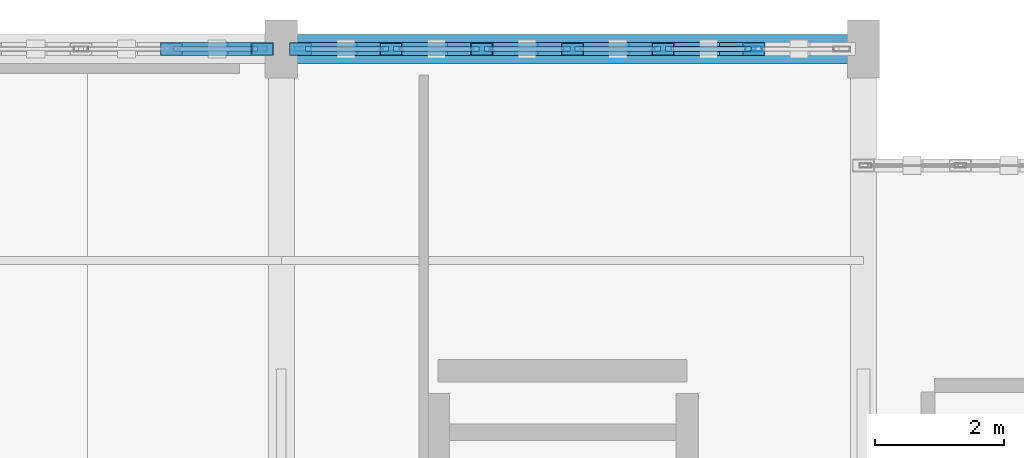
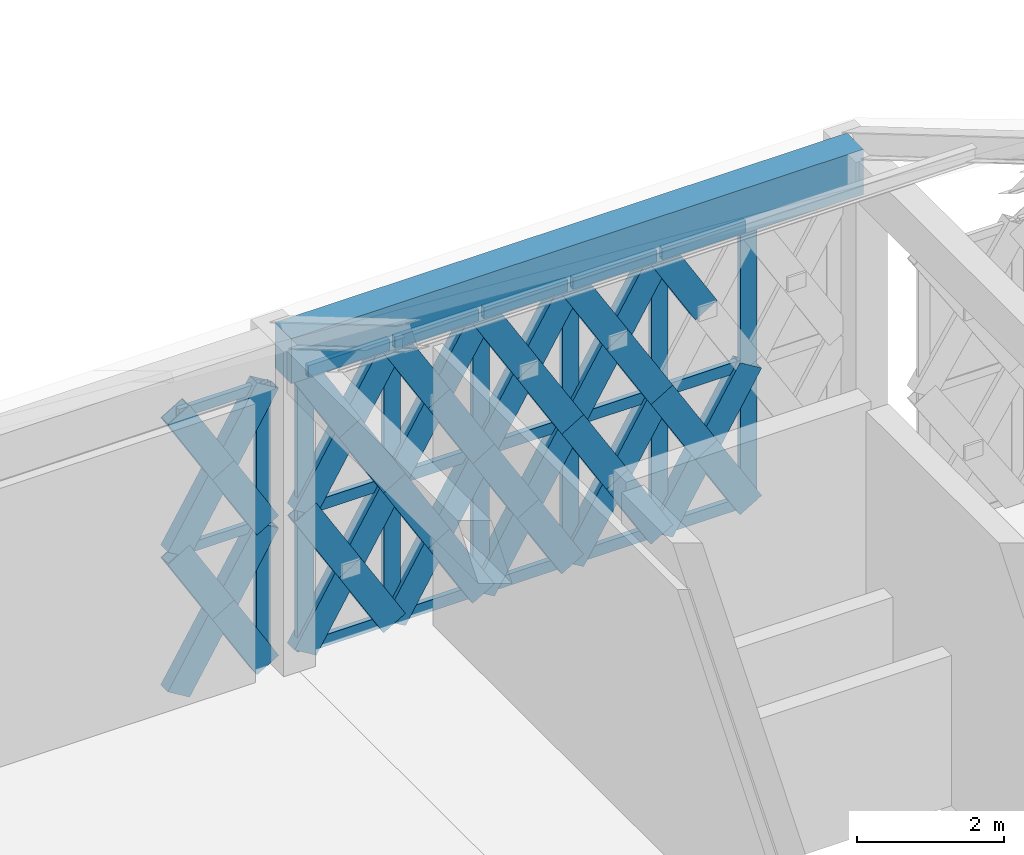
# One storey, part 53 of 72: 58 members, 1 beam, 2 elements without a shape of their own.
"""IFC4 building model written with IfcOpenShell, lengths in metres."""

from ifc_helpers import new_model, si_unit, direction, frame, origin, origin_2d, place, context, subcontext, project, spatial, rectangle, hollow_rectangle, extrude, material, material_profile, profile_set, type_object, element, aggregate, save


model = new_model("IFC4")

# Units and contexts
model_context = context("Model", 3, precision=1e-05, world=origin(), true_north=direction((0.0, 1.0)))
body_context = subcontext(model_context, "Body", "Model", "MODEL_VIEW")
ifc_project = project(units=[si_unit("LENGTHUNIT", "METRE"), si_unit("AREAUNIT", "SQUARE_METRE"), si_unit("VOLUMEUNIT", "CUBIC_METRE"), si_unit("PLANEANGLEUNIT", "RADIAN"), si_unit("MASSUNIT", "GRAM", prefix="KILO")], contexts=[model_context])

# Site, building, storey
site_placement = place(None, origin())
site = spatial("IfcSite", under=ifc_project, at=site_placement, CompositionType="ELEMENT")
building_placement = place(site_placement, origin())
building = spatial("IfcBuilding", under=site, at=building_placement, Name="Haizhuo Lancet Aquarium", CompositionType="ELEMENT")
storey_placement = place(building_placement, frame((0.0, 0.0, 21.60009765625)))
storey = spatial("IfcBuildingStorey", under=building, at=storey_placement, Name="L04", CompositionType="ELEMENT", Elevation=21.60009765625)

# Beam
ifc_material_1 = material(Name="Concrete C40/50", Category="concrete")
ifc_material_profile_1 = material_profile(ifc_material_1, rectangle(XDim=0.449951171875, YDim=0.75, at=origin_2d()), Name="RC-BM 450x750")
ifc_profile_set_1 = profile_set([ifc_material_profile_1], Name="Concrete C40/50")
beam_type = type_object("IfcBeamType", Name="BM-RC-450x750", PredefinedType="BEAM", material=ifc_profile_set_1)
beam_placement = place(storey_placement, frame((9.0, 55.800048828125, 5.02490234375), z_axis=(1.0, 0.0, 0.0), x_axis=(0.0, 1.0, 0.0)))
element("IfcBeam", 1, at=beam_placement, inside=storey, type_object=beam_type, Name="L04 V5 primary girder BM-L04-V5-020", PredefinedType="BEAM", context=body_context, shape_type="SweptSolid", body=[
    extrude(rectangle(XDim=0.449951171875, YDim=0.75, at=origin_2d()), origin(), (0.0, 0.0, 1.0), 9.0),
])

# Curtain wall, member
ifc_material_2 = material(Name="Aluminium 6063-T6", Category="aluminium")
curtain_wall_type = type_object("IfcCurtainWallType", Name="CWD-8410x4650", PredefinedType="NOTDEFINED", material=ifc_material_2)
curtain_wall_1_placement = place(storey_placement, origin())
curtain_wall_1 = element("IfcCurtainWall", 2, at=curtain_wall_1_placement, inside=storey, type_object=curtain_wall_type, Name="L04 curtain wall CW-V5-L04-179", PredefinedType="NOTDEFINED")
ifc_material_profile_2 = material_profile(ifc_material_2, hollow_rectangle(XDim=0.074951171875, YDim=0.219970703125, WallThickness=0.0048828125, at=origin_2d()), Name="ALU-M 75x220x5")
ifc_profile_set_2 = profile_set([ifc_material_profile_2], Name="Aluminium 6063-T6")
member_type_1 = type_object("IfcMemberType", Name="CW-MUL-2", PredefinedType="MULLION", material=ifc_profile_set_2)
member_1_placement = place(storey_placement, frame((8.66796875, 55.800048828125, 0.0), z_axis=(0.0, 0.0, 1.0), x_axis=(0.0, 1.0, 0.0)))
member_1 = element("IfcMember", 3, at=member_1_placement, type_object=member_type_1, Name="CWD-84x46 mullion 7", PredefinedType="MULLION", context=body_context, shape_type="SweptSolid", body=[
    extrude(hollow_rectangle(XDim=0.074951171875, YDim=0.219970703125, WallThickness=0.0048828125, at=origin_2d()), origin(), (0.0, 0.0, 1.0), 4.64990234375),
])

# Curtain wall, members
curtain_wall_2_placement = place(storey_placement, origin())
curtain_wall_2 = element("IfcCurtainWall", 4, at=curtain_wall_2_placement, inside=storey, type_object=curtain_wall_type, Name="L04 curtain wall CW-V5-L04-180", PredefinedType="NOTDEFINED")
ifc_material_profile_3 = material_profile(ifc_material_2, hollow_rectangle(XDim=0.080078125, YDim=0.260009765625, WallThickness=0.0048828125, at=origin_2d()), Name="ALU-M 80x260x5")
ifc_profile_set_3 = profile_set([ifc_material_profile_3], Name="Aluminium 6063-T6")
member_type_2 = type_object("IfcMemberType", Name="CW-MUL-3", PredefinedType="MULLION", material=ifc_profile_set_3)
member_2_placement = place(storey_placement, frame((9.3349609375, 55.800048828125, 0.0), z_axis=(0.0, 0.0, 1.0), x_axis=(0.0, 1.0, 0.0)))
member_2 = element("IfcMember", 5, at=member_2_placement, type_object=member_type_2, Name="CWD-84x46 mullion 1", PredefinedType="MULLION", context=body_context, shape_type="SweptSolid", body=[
    extrude(hollow_rectangle(XDim=0.080078125, YDim=0.260009765625, WallThickness=0.0048828125, at=origin_2d()), origin(), (0.0, 0.0, 1.0), 4.64990234375),
])
member_3_placement = place(storey_placement, frame((10.697021484375, 55.800048828125, 0.0), z_axis=(0.0, 0.0, 1.0), x_axis=(0.0, 1.0, 0.0)))
member_3 = element("IfcMember", 6, at=member_3_placement, type_object=member_type_2, Name="CWD-84x46 mullion 2", PredefinedType="MULLION", context=body_context, shape_type="SweptSolid", body=[
    extrude(hollow_rectangle(XDim=0.080078125, YDim=0.260009765625, WallThickness=0.0048828125, at=origin_2d()), origin(), (0.0, 0.0, 1.0), 4.64990234375),
])
member_4_placement = place(storey_placement, frame((12.097900390625, 55.800048828125, 0.0), z_axis=(0.0, 0.0, 1.0), x_axis=(0.0, 1.0, 0.0)))
member_4 = element("IfcMember", 7, at=member_4_placement, type_object=member_type_2, Name="CWD-84x46 mullion 3", PredefinedType="MULLION", context=body_context, shape_type="SweptSolid", body=[
    extrude(hollow_rectangle(XDim=0.080078125, YDim=0.260009765625, WallThickness=0.0048828125, at=origin_2d()), origin(), (0.0, 0.0, 1.0), 4.64990234375),
])
member_5_placement = place(storey_placement, frame((13.5, 55.800048828125, 0.0), z_axis=(0.0, 0.0, 1.0), x_axis=(0.0, 1.0, 0.0)))
member_5 = element("IfcMember", 8, at=member_5_placement, type_object=member_type_2, Name="CWD-84x46 mullion 4", PredefinedType="MULLION", context=body_context, shape_type="SweptSolid", body=[
    extrude(hollow_rectangle(XDim=0.080078125, YDim=0.260009765625, WallThickness=0.0048828125, at=origin_2d()), origin(), (0.0, 0.0, 1.0), 4.64990234375),
])
member_6_placement = place(storey_placement, frame((14.902099609375, 55.800048828125, 0.0), z_axis=(0.0, 0.0, 1.0), x_axis=(0.0, 1.0, 0.0)))
member_6 = element("IfcMember", 9, at=member_6_placement, type_object=member_type_2, Name="CWD-84x46 mullion 5", PredefinedType="MULLION", context=body_context, shape_type="SweptSolid", body=[
    extrude(hollow_rectangle(XDim=0.080078125, YDim=0.260009765625, WallThickness=0.0048828125, at=origin_2d()), origin(), (0.0, 0.0, 1.0), 4.64990234375),
])
member_7_placement = place(storey_placement, frame((16.302978515625, 55.800048828125, 0.0), z_axis=(0.0, 0.0, 1.0), x_axis=(0.0, 1.0, 0.0)))
member_7 = element("IfcMember", 10, at=member_7_placement, type_object=member_type_2, Name="CWD-84x46 mullion 6", PredefinedType="MULLION", context=body_context, shape_type="SweptSolid", body=[
    extrude(hollow_rectangle(XDim=0.080078125, YDim=0.260009765625, WallThickness=0.0048828125, at=origin_2d()), origin(), (0.0, 0.0, 1.0), 4.64990234375),
])

# Member
ifc_material_profile_4 = material_profile(ifc_material_2, hollow_rectangle(XDim=0.074951171875, YDim=0.159912109375, WallThickness=0.00390625, at=origin_2d()), Name="ALU-T 75x160x4")
ifc_profile_set_4 = profile_set([ifc_material_profile_4], Name="Aluminium 6063-T6")
member_type_3 = type_object("IfcMemberType", Name="CW-TRN-2", PredefinedType="NOTDEFINED", material=ifc_profile_set_4)
member_8_placement = place(storey_placement, frame((7.341064453125, 55.800048828125, 2.324951171875), z_axis=(1.0, 0.0, 0.0), x_axis=(0.0, 1.0, 0.0)))
member_8 = element("IfcMember", 11, at=member_8_placement, type_object=member_type_3, Name="CWD-84x46 transom 6.2", ObjectType="TRANSOM", PredefinedType="USERDEFINED", context=body_context, shape_type="SweptSolid", body=[
    extrude(hollow_rectangle(XDim=0.074951171875, YDim=0.159912109375, WallThickness=0.00390625, at=origin_2d()), origin(), (0.0, 0.0, 1.0), 1.288818359375),
])

member_9_placement = place(storey_placement, frame((7.341064453125, 55.800048828125, 4.61181640625), z_axis=(1.0, 0.0, 0.0), x_axis=(0.0, 1.0, 0.0)))
member_9 = element("IfcMember", 12, at=member_9_placement, type_object=member_type_3, Name="CWD-84x46 transom 6.3", ObjectType="TRANSOM", PredefinedType="USERDEFINED", context=body_context, shape_type="SweptSolid", body=[
    extrude(hollow_rectangle(XDim=0.074951171875, YDim=0.159912109375, WallThickness=0.00390625, at=origin_2d()), origin(), (0.0, 0.0, 1.0), 1.288818359375),
])

aggregate(curtain_wall_1, [member_1, member_8, member_9])

ifc_material_profile_5 = material_profile(ifc_material_2, hollow_rectangle(XDim=0.080078125, YDim=0.18994140625, WallThickness=0.0048828125, at=origin_2d()), Name="ALU-T 80x190x5")
ifc_profile_set_5 = profile_set([ifc_material_profile_5], Name="Aluminium 6063-T6")
member_type_4 = type_object("IfcMemberType", Name="CW-TRN-3", PredefinedType="NOTDEFINED", material=ifc_profile_set_5)
member_10_placement = place(storey_placement, frame((9.375, 55.800048828125, 0.039794921875), z_axis=(1.0, 0.0, 0.0), x_axis=(0.0, 1.0, 0.0)))
member_10 = element("IfcMember", 13, at=member_10_placement, type_object=member_type_4, Name="CWD-84x46 transom 1.1", ObjectType="TRANSOM", PredefinedType="USERDEFINED", context=body_context, shape_type="SweptSolid", body=[
    extrude(hollow_rectangle(XDim=0.080078125, YDim=0.18994140625, WallThickness=0.0048828125, at=origin_2d()), origin(), (0.0, 0.0, 1.0), 1.281982421875),
])

member_11_placement = place(storey_placement, frame((9.375, 55.800048828125, 2.324951171875), z_axis=(1.0, 0.0, 0.0), x_axis=(0.0, 1.0, 0.0)))
member_11 = element("IfcMember", 14, at=member_11_placement, type_object=member_type_4, Name="CWD-84x46 transom 1.2", ObjectType="TRANSOM", PredefinedType="USERDEFINED", context=body_context, shape_type="SweptSolid", body=[
    extrude(hollow_rectangle(XDim=0.080078125, YDim=0.18994140625, WallThickness=0.0048828125, at=origin_2d()), origin(), (0.0, 0.0, 1.0), 1.281982421875),
])

member_12_placement = place(storey_placement, frame((9.375, 55.800048828125, 4.60986328125), z_axis=(1.0, 0.0, 0.0), x_axis=(0.0, 1.0, 0.0)))
member_12 = element("IfcMember", 15, at=member_12_placement, type_object=member_type_4, Name="CWD-84x46 transom 1.3", ObjectType="TRANSOM", PredefinedType="USERDEFINED", context=body_context, shape_type="SweptSolid", body=[
    extrude(hollow_rectangle(XDim=0.080078125, YDim=0.18994140625, WallThickness=0.0048828125, at=origin_2d()), origin(), (0.0, 0.0, 1.0), 1.281982421875),
])

member_13_placement = place(storey_placement, frame((10.737060546875, 55.800048828125, 0.039794921875), z_axis=(1.0, 0.0, 0.0), x_axis=(0.0, 1.0, 0.0)))
member_13 = element("IfcMember", 16, at=member_13_placement, type_object=member_type_4, Name="CWD-84x46 transom 2.1", ObjectType="TRANSOM", PredefinedType="USERDEFINED", context=body_context, shape_type="SweptSolid", body=[
    extrude(hollow_rectangle(XDim=0.080078125, YDim=0.18994140625, WallThickness=0.0048828125, at=origin_2d()), origin(), (0.0, 0.0, 1.0), 1.321044921875),
])

member_14_placement = place(storey_placement, frame((10.737060546875, 55.800048828125, 2.324951171875), z_axis=(1.0, 0.0, 0.0), x_axis=(0.0, 1.0, 0.0)))
member_14 = element("IfcMember", 17, at=member_14_placement, type_object=member_type_4, Name="CWD-84x46 transom 2.2", ObjectType="TRANSOM", PredefinedType="USERDEFINED", context=body_context, shape_type="SweptSolid", body=[
    extrude(hollow_rectangle(XDim=0.080078125, YDim=0.18994140625, WallThickness=0.0048828125, at=origin_2d()), origin(), (0.0, 0.0, 1.0), 1.321044921875),
])

member_15_placement = place(storey_placement, frame((10.737060546875, 55.800048828125, 4.60986328125), z_axis=(1.0, 0.0, 0.0), x_axis=(0.0, 1.0, 0.0)))
member_15 = element("IfcMember", 18, at=member_15_placement, type_object=member_type_4, Name="CWD-84x46 transom 2.3", ObjectType="TRANSOM", PredefinedType="USERDEFINED", context=body_context, shape_type="SweptSolid", body=[
    extrude(hollow_rectangle(XDim=0.080078125, YDim=0.18994140625, WallThickness=0.0048828125, at=origin_2d()), origin(), (0.0, 0.0, 1.0), 1.321044921875),
])

member_16_placement = place(storey_placement, frame((12.137939453125, 55.800048828125, 0.039794921875), z_axis=(1.0, 0.0, 0.0), x_axis=(0.0, 1.0, 0.0)))
member_16 = element("IfcMember", 19, at=member_16_placement, type_object=member_type_4, Name="CWD-84x46 transom 3.1", ObjectType="TRANSOM", PredefinedType="USERDEFINED", context=body_context, shape_type="SweptSolid", body=[
    extrude(hollow_rectangle(XDim=0.080078125, YDim=0.18994140625, WallThickness=0.0048828125, at=origin_2d()), origin(), (0.0, 0.0, 1.0), 1.322021484375),
])

member_17_placement = place(storey_placement, frame((12.137939453125, 55.800048828125, 2.324951171875), z_axis=(1.0, 0.0, 0.0), x_axis=(0.0, 1.0, 0.0)))
member_17 = element("IfcMember", 20, at=member_17_placement, type_object=member_type_4, Name="CWD-84x46 transom 3.2", ObjectType="TRANSOM", PredefinedType="USERDEFINED", context=body_context, shape_type="SweptSolid", body=[
    extrude(hollow_rectangle(XDim=0.080078125, YDim=0.18994140625, WallThickness=0.0048828125, at=origin_2d()), origin(), (0.0, 0.0, 1.0), 1.322021484375),
])

member_18_placement = place(storey_placement, frame((12.137939453125, 55.800048828125, 4.60986328125), z_axis=(1.0, 0.0, 0.0), x_axis=(0.0, 1.0, 0.0)))
member_18 = element("IfcMember", 21, at=member_18_placement, type_object=member_type_4, Name="CWD-84x46 transom 3.3", ObjectType="TRANSOM", PredefinedType="USERDEFINED", context=body_context, shape_type="SweptSolid", body=[
    extrude(hollow_rectangle(XDim=0.080078125, YDim=0.18994140625, WallThickness=0.0048828125, at=origin_2d()), origin(), (0.0, 0.0, 1.0), 1.322021484375),
])

member_19_placement = place(storey_placement, frame((13.5400390625, 55.800048828125, 0.039794921875), z_axis=(1.0, 0.0, 0.0), x_axis=(0.0, 1.0, 0.0)))
member_19 = element("IfcMember", 22, at=member_19_placement, type_object=member_type_4, Name="CWD-84x46 transom 4.1", ObjectType="TRANSOM", PredefinedType="USERDEFINED", context=body_context, shape_type="SweptSolid", body=[
    extrude(hollow_rectangle(XDim=0.080078125, YDim=0.18994140625, WallThickness=0.0048828125, at=origin_2d()), origin(), (0.0, 0.0, 1.0), 1.322021484375),
])

member_20_placement = place(storey_placement, frame((13.5400390625, 55.800048828125, 2.324951171875), z_axis=(1.0, 0.0, 0.0), x_axis=(0.0, 1.0, 0.0)))
member_20 = element("IfcMember", 23, at=member_20_placement, type_object=member_type_4, Name="CWD-84x46 transom 4.2", ObjectType="TRANSOM", PredefinedType="USERDEFINED", context=body_context, shape_type="SweptSolid", body=[
    extrude(hollow_rectangle(XDim=0.080078125, YDim=0.18994140625, WallThickness=0.0048828125, at=origin_2d()), origin(), (0.0, 0.0, 1.0), 1.322021484375),
])

member_21_placement = place(storey_placement, frame((13.5400390625, 55.800048828125, 4.60986328125), z_axis=(1.0, 0.0, 0.0), x_axis=(0.0, 1.0, 0.0)))
member_21 = element("IfcMember", 24, at=member_21_placement, type_object=member_type_4, Name="CWD-84x46 transom 4.3", ObjectType="TRANSOM", PredefinedType="USERDEFINED", context=body_context, shape_type="SweptSolid", body=[
    extrude(hollow_rectangle(XDim=0.080078125, YDim=0.18994140625, WallThickness=0.0048828125, at=origin_2d()), origin(), (0.0, 0.0, 1.0), 1.322021484375),
])

member_22_placement = place(storey_placement, frame((14.94189453125, 55.800048828125, 0.039794921875), z_axis=(1.0, 0.0, 0.0), x_axis=(0.0, 1.0, 0.0)))
member_22 = element("IfcMember", 25, at=member_22_placement, type_object=member_type_4, Name="CWD-84x46 transom 5.1", ObjectType="TRANSOM", PredefinedType="USERDEFINED", context=body_context, shape_type="SweptSolid", body=[
    extrude(hollow_rectangle(XDim=0.080078125, YDim=0.18994140625, WallThickness=0.0048828125, at=origin_2d()), origin(), (0.0, 0.0, 1.0), 1.321044921875),
])

member_23_placement = place(storey_placement, frame((14.94189453125, 55.800048828125, 2.324951171875), z_axis=(1.0, 0.0, 0.0), x_axis=(0.0, 1.0, 0.0)))
member_23 = element("IfcMember", 26, at=member_23_placement, type_object=member_type_4, Name="CWD-84x46 transom 5.2", ObjectType="TRANSOM", PredefinedType="USERDEFINED", context=body_context, shape_type="SweptSolid", body=[
    extrude(hollow_rectangle(XDim=0.080078125, YDim=0.18994140625, WallThickness=0.0048828125, at=origin_2d()), origin(), (0.0, 0.0, 1.0), 1.321044921875),
])

member_24_placement = place(storey_placement, frame((14.94189453125, 55.800048828125, 4.60986328125), z_axis=(1.0, 0.0, 0.0), x_axis=(0.0, 1.0, 0.0)))
member_24 = element("IfcMember", 27, at=member_24_placement, type_object=member_type_4, Name="CWD-84x46 transom 5.3", ObjectType="TRANSOM", PredefinedType="USERDEFINED", context=body_context, shape_type="SweptSolid", body=[
    extrude(hollow_rectangle(XDim=0.080078125, YDim=0.18994140625, WallThickness=0.0048828125, at=origin_2d()), origin(), (0.0, 0.0, 1.0), 1.321044921875),
])

aggregate(curtain_wall_2, [member_2, member_3, member_4, member_5, member_6, member_7, member_10, member_11, member_12, member_13, member_14, member_15, member_16, member_17, member_18, member_19, member_20, member_21, member_22, member_23, member_24])

# Members
ifc_material_3 = material(Name="Steel S355", Category="steel")
ifc_material_profile_6 = material_profile(ifc_material_3, hollow_rectangle(XDim=0.199951171875, YDim=0.39990234375, WallThickness=0.011962890625, at=origin_2d()), Name="RHS 200x400x12")
ifc_profile_set_6 = profile_set([ifc_material_profile_6], Name="Steel S355")
member_type_5 = type_object("IfcMemberType", Name="MEM-LB-RHS200x400", PredefinedType="BRACE", material=ifc_profile_set_6)
member_25_placement = place(storey_placement, frame((7.302978515625, 55.800048828125, 0.0), z_axis=(0.516425141118, 0.0, 0.856332338302), x_axis=(0.0, 1.0, 0.0)))
element("IfcMember", 28, at=member_25_placement, inside=storey, type_object=member_type_5, Name="Gothic lancet continuous diagonal brace CW-V5-L04-179 11A", PredefinedType="BRACE", context=body_context, shape_type="SweptSolid", body=[
    extrude(hollow_rectangle(XDim=0.199951171875, YDim=0.39990234375, WallThickness=0.011962890625, at=origin_2d()), origin(), (0.0, 0.0, 1.0), 2.715087890625),
])
member_26_placement = place(storey_placement, frame((8.705078125, 55.800048828125, 0.0), z_axis=(-0.516371795819, 0.0, 0.856364506786), x_axis=(0.0, -1.0, 0.0)))
element("IfcMember", 29, at=member_26_placement, inside=storey, type_object=member_type_5, Name="Gothic lancet split diagonal brace CW-V5-L04-179 11B1", PredefinedType="BRACE", context=body_context, shape_type="SweptSolid", body=[
    extrude(hollow_rectangle(XDim=0.199951171875, YDim=0.39990234375, WallThickness=0.011962890625, at=origin_2d()), origin(), (0.0, 0.0, 1.0), 1.35791015625),
])
member_27_placement = place(storey_placement, frame((8.00390625, 55.800048828125, 1.162841796875), z_axis=(-0.51647851402, 0.0, 0.856300148637), x_axis=(0.0, -1.0, 0.0)))
element("IfcMember", 30, at=member_27_placement, inside=storey, type_object=member_type_5, Name="Gothic lancet split diagonal brace CW-V5-L04-179 11B2", PredefinedType="BRACE", context=body_context, shape_type="SweptSolid", body=[
    extrude(hollow_rectangle(XDim=0.199951171875, YDim=0.39990234375, WallThickness=0.011962890625, at=origin_2d()), origin(), (0.0, 0.0, 1.0), 1.357177734375),
])
member_28_placement = place(storey_placement, frame((7.302978515625, 55.800048828125, 2.324951171875), z_axis=(0.516425141118, 0.0, 0.856332338302), x_axis=(0.0, 1.0, 0.0)))
element("IfcMember", 31, at=member_28_placement, inside=storey, type_object=member_type_5, Name="Gothic lancet continuous diagonal brace CW-V5-L04-179 12A", PredefinedType="BRACE", context=body_context, shape_type="SweptSolid", body=[
    extrude(hollow_rectangle(XDim=0.199951171875, YDim=0.39990234375, WallThickness=0.011962890625, at=origin_2d()), origin(), (0.0, 0.0, 1.0), 2.715087890625),
])
member_29_placement = place(storey_placement, frame((8.705078125, 55.800048828125, 2.324951171875), z_axis=(-0.516689979653, 0.0, 0.856172567259), x_axis=(0.0, -1.0, 0.0)))
element("IfcMember", 32, at=member_29_placement, inside=storey, type_object=member_type_5, Name="Gothic lancet split diagonal brace CW-V5-L04-179 12B1", PredefinedType="BRACE", context=body_context, shape_type="SweptSolid", body=[
    extrude(hollow_rectangle(XDim=0.199951171875, YDim=0.39990234375, WallThickness=0.011962890625, at=origin_2d()), origin(), (0.0, 0.0, 1.0), 1.35693359375),
])
member_30_placement = place(storey_placement, frame((8.00390625, 55.800048828125, 3.48681640625), z_axis=(-0.516160432506, 0.0, 0.856491919352), x_axis=(0.0, -1.0, 0.0)))
element("IfcMember", 33, at=member_30_placement, inside=storey, type_object=member_type_5, Name="Gothic lancet split diagonal brace CW-V5-L04-179 12B2", PredefinedType="BRACE", context=body_context, shape_type="SweptSolid", body=[
    extrude(hollow_rectangle(XDim=0.199951171875, YDim=0.39990234375, WallThickness=0.011962890625, at=origin_2d()), origin(), (0.0, 0.0, 1.0), 1.35791015625),
])
member_31_placement = place(storey_placement, frame((9.294921875, 55.800048828125, 0.0), z_axis=(0.516425141118, 0.0, 0.856332338302), x_axis=(0.0, 1.0, 0.0)))
element("IfcMember", 34, at=member_31_placement, inside=storey, type_object=member_type_5, Name="Gothic lancet continuous diagonal brace CW-V5-L04-180 1A", PredefinedType="BRACE", context=body_context, shape_type="SweptSolid", body=[
    extrude(hollow_rectangle(XDim=0.199951171875, YDim=0.39990234375, WallThickness=0.011962890625, at=origin_2d()), origin(), (0.0, 0.0, 1.0), 2.715087890625),
])
member_32_placement = place(storey_placement, frame((10.697021484375, 55.800048828125, 0.0), z_axis=(-0.516239922823, 0.0, 0.856444009894), x_axis=(0.0, -1.0, 0.0)))
element("IfcMember", 35, at=member_32_placement, inside=storey, type_object=member_type_5, Name="Gothic lancet split diagonal brace CW-V5-L04-180 1B1", PredefinedType="BRACE", context=body_context, shape_type="SweptSolid", body=[
    extrude(hollow_rectangle(XDim=0.199951171875, YDim=0.39990234375, WallThickness=0.011962890625, at=origin_2d()), origin(), (0.0, 0.0, 1.0), 1.357666015625),
])
member_33_placement = place(storey_placement, frame((9.99609375, 55.800048828125, 1.162841796875), z_axis=(-0.516610403628, 0.0, 0.8562205854), x_axis=(0.0, -1.0, 0.0)))
element("IfcMember", 36, at=member_33_placement, inside=storey, type_object=member_type_5, Name="Gothic lancet split diagonal brace CW-V5-L04-180 1B2", PredefinedType="BRACE", context=body_context, shape_type="SweptSolid", body=[
    extrude(hollow_rectangle(XDim=0.199951171875, YDim=0.39990234375, WallThickness=0.011962890625, at=origin_2d()), origin(), (0.0, 0.0, 1.0), 1.357177734375),
])
member_34_placement = place(storey_placement, frame((9.294921875, 55.800048828125, 2.324951171875), z_axis=(0.516425141118, 0.0, 0.856332338302), x_axis=(0.0, 1.0, 0.0)))
element("IfcMember", 37, at=member_34_placement, inside=storey, type_object=member_type_5, Name="Gothic lancet continuous diagonal brace CW-V5-L04-180 2A", PredefinedType="BRACE", context=body_context, shape_type="SweptSolid", body=[
    extrude(hollow_rectangle(XDim=0.199951171875, YDim=0.39990234375, WallThickness=0.011962890625, at=origin_2d()), origin(), (0.0, 0.0, 1.0), 2.715087890625),
])
member_35_placement = place(storey_placement, frame((10.697021484375, 55.800048828125, 2.324951171875), z_axis=(-0.516558084519, 0.0, 0.856252150548), x_axis=(0.0, -1.0, 0.0)))
element("IfcMember", 38, at=member_35_placement, inside=storey, type_object=member_type_5, Name="Gothic lancet split diagonal brace CW-V5-L04-180 2B1", PredefinedType="BRACE", context=body_context, shape_type="SweptSolid", body=[
    extrude(hollow_rectangle(XDim=0.199951171875, YDim=0.39990234375, WallThickness=0.011962890625, at=origin_2d()), origin(), (0.0, 0.0, 1.0), 1.35693359375),
])
member_36_placement = place(storey_placement, frame((9.99609375, 55.800048828125, 3.48681640625), z_axis=(-0.516292299955, 0.0, 0.856412436276), x_axis=(0.0, -1.0, 0.0)))
element("IfcMember", 39, at=member_36_placement, inside=storey, type_object=member_type_5, Name="Gothic lancet split diagonal brace CW-V5-L04-180 2B2", PredefinedType="BRACE", context=body_context, shape_type="SweptSolid", body=[
    extrude(hollow_rectangle(XDim=0.199951171875, YDim=0.39990234375, WallThickness=0.011962890625, at=origin_2d()), origin(), (0.0, 0.0, 1.0), 1.358154296875),
])
member_37_placement = place(storey_placement, frame((10.697021484375, 55.800048828125, 0.0), z_axis=(0.516095323005, 0.0, 0.856531153883), x_axis=(0.0, 1.0, 0.0)))
element("IfcMember", 40, at=member_37_placement, inside=storey, type_object=member_type_5, Name="Gothic lancet continuous diagonal brace CW-V5-L04-180 3A", PredefinedType="BRACE", context=body_context, shape_type="SweptSolid", body=[
    extrude(hollow_rectangle(XDim=0.199951171875, YDim=0.39990234375, WallThickness=0.011962890625, at=origin_2d()), origin(), (0.0, 0.0, 1.0), 2.71435546875),
])
for number, where, z_axis, x_axis, name in (
    (41, (12.097900390625, 55.800048828125, 0.0), (-0.515712063506, 0.0, 0.856761966683), (0.0, -1.0, 0.0), "Gothic lancet split diagonal brace CW-V5-L04-180 3B1"),
    (42, (11.39794921875, 55.800048828125, 1.162841796875), (-0.51647851402, 0.0, 0.856300148637), (0.0, -1.0, 0.0), "Gothic lancet split diagonal brace CW-V5-L04-180 3B2"),
):
    element("IfcMember", number, at=place(storey_placement, frame(where, z_axis=z_axis, x_axis=x_axis)), inside=storey, type_object=member_type_5, Name=name, PredefinedType="BRACE", context=body_context, shape_type="SweptSolid", body=[
        extrude(hollow_rectangle(XDim=0.199951171875, YDim=0.39990234375, WallThickness=0.011962890625, at=origin_2d()), origin(), (0.0, 0.0, 1.0), 1.357177734375),
    ])
member_38_placement = place(storey_placement, frame((10.697021484375, 55.800048828125, 2.324951171875), z_axis=(0.516095323005, 0.0, 0.856531153883), x_axis=(0.0, 1.0, 0.0)))
element("IfcMember", 43, at=member_38_placement, inside=storey, type_object=member_type_5, Name="Gothic lancet continuous diagonal brace CW-V5-L04-180 4A", PredefinedType="BRACE", context=body_context, shape_type="SweptSolid", body=[
    extrude(hollow_rectangle(XDim=0.199951171875, YDim=0.39990234375, WallThickness=0.011962890625, at=origin_2d()), origin(), (0.0, 0.0, 1.0), 2.71435546875),
])
member_39_placement = place(storey_placement, frame((12.097900390625, 55.800048828125, 2.324951171875), z_axis=(-0.516030136136, 0.0, 0.856570428277), x_axis=(0.0, -1.0, 0.0)))
element("IfcMember", 44, at=member_39_placement, inside=storey, type_object=member_type_5, Name="Gothic lancet split diagonal brace CW-V5-L04-180 4B1", PredefinedType="BRACE", context=body_context, shape_type="SweptSolid", body=[
    extrude(hollow_rectangle(XDim=0.199951171875, YDim=0.39990234375, WallThickness=0.011962890625, at=origin_2d()), origin(), (0.0, 0.0, 1.0), 1.3564453125),
])
member_40_placement = place(storey_placement, frame((11.39794921875, 55.800048828125, 3.48681640625), z_axis=(-0.516160432506, 0.0, 0.856491919352), x_axis=(0.0, -1.0, 0.0)))
element("IfcMember", 45, at=member_40_placement, inside=storey, type_object=member_type_5, Name="Gothic lancet split diagonal brace CW-V5-L04-180 4B2", PredefinedType="BRACE", context=body_context, shape_type="SweptSolid", body=[
    extrude(hollow_rectangle(XDim=0.199951171875, YDim=0.39990234375, WallThickness=0.011962890625, at=origin_2d()), origin(), (0.0, 0.0, 1.0), 1.35791015625),
])
member_41_placement = place(storey_placement, frame((12.097900390625, 55.800048828125, 0.0), z_axis=(0.516425141118, 0.0, 0.856332338302), x_axis=(0.0, 1.0, 0.0)))
element("IfcMember", 46, at=member_41_placement, inside=storey, type_object=member_type_5, Name="Gothic lancet continuous diagonal brace CW-V5-L04-180 5A", PredefinedType="BRACE", context=body_context, shape_type="SweptSolid", body=[
    extrude(hollow_rectangle(XDim=0.199951171875, YDim=0.39990234375, WallThickness=0.011962890625, at=origin_2d()), origin(), (0.0, 0.0, 1.0), 2.715087890625),
])
member_42_placement = place(storey_placement, frame((13.5, 55.800048828125, 0.0), z_axis=(-0.516239922823, 0.0, 0.856444009894), x_axis=(0.0, -1.0, 0.0)))
element("IfcMember", 47, at=member_42_placement, inside=storey, type_object=member_type_5, Name="Gothic lancet split diagonal brace CW-V5-L04-180 5B1", PredefinedType="BRACE", context=body_context, shape_type="SweptSolid", body=[
    extrude(hollow_rectangle(XDim=0.199951171875, YDim=0.39990234375, WallThickness=0.011962890625, at=origin_2d()), origin(), (0.0, 0.0, 1.0), 1.357666015625),
])
member_43_placement = place(storey_placement, frame((12.799072265625, 55.800048828125, 1.162841796875), z_axis=(-0.516610403628, 0.0, 0.8562205854), x_axis=(0.0, -1.0, 0.0)))
element("IfcMember", 48, at=member_43_placement, inside=storey, type_object=member_type_5, Name="Gothic lancet split diagonal brace CW-V5-L04-180 5B2", PredefinedType="BRACE", context=body_context, shape_type="SweptSolid", body=[
    extrude(hollow_rectangle(XDim=0.199951171875, YDim=0.39990234375, WallThickness=0.011962890625, at=origin_2d()), origin(), (0.0, 0.0, 1.0), 1.357177734375),
])
member_44_placement = place(storey_placement, frame((12.097900390625, 55.800048828125, 2.324951171875), z_axis=(0.516425141118, 0.0, 0.856332338302), x_axis=(0.0, 1.0, 0.0)))
element("IfcMember", 49, at=member_44_placement, inside=storey, type_object=member_type_5, Name="Gothic lancet continuous diagonal brace CW-V5-L04-180 6A", PredefinedType="BRACE", context=body_context, shape_type="SweptSolid", body=[
    extrude(hollow_rectangle(XDim=0.199951171875, YDim=0.39990234375, WallThickness=0.011962890625, at=origin_2d()), origin(), (0.0, 0.0, 1.0), 2.715087890625),
])
member_45_placement = place(storey_placement, frame((13.5, 55.800048828125, 2.324951171875), z_axis=(-0.516558084519, 0.0, 0.856252150548), x_axis=(0.0, -1.0, 0.0)))
element("IfcMember", 50, at=member_45_placement, inside=storey, type_object=member_type_5, Name="Gothic lancet split diagonal brace CW-V5-L04-180 6B1", PredefinedType="BRACE", context=body_context, shape_type="SweptSolid", body=[
    extrude(hollow_rectangle(XDim=0.199951171875, YDim=0.39990234375, WallThickness=0.011962890625, at=origin_2d()), origin(), (0.0, 0.0, 1.0), 1.35693359375),
])
member_46_placement = place(storey_placement, frame((12.799072265625, 55.800048828125, 3.48681640625), z_axis=(-0.516292299955, 0.0, 0.856412436276), x_axis=(0.0, -1.0, 0.0)))
element("IfcMember", 51, at=member_46_placement, inside=storey, type_object=member_type_5, Name="Gothic lancet split diagonal brace CW-V5-L04-180 6B2", PredefinedType="BRACE", context=body_context, shape_type="SweptSolid", body=[
    extrude(hollow_rectangle(XDim=0.199951171875, YDim=0.39990234375, WallThickness=0.011962890625, at=origin_2d()), origin(), (0.0, 0.0, 1.0), 1.358154296875),
])
member_47_placement = place(storey_placement, frame((13.5, 55.800048828125, 0.0), z_axis=(0.516425141118, 0.0, 0.856332338302), x_axis=(0.0, 1.0, 0.0)))
element("IfcMember", 52, at=member_47_placement, inside=storey, type_object=member_type_5, Name="Gothic lancet continuous diagonal brace CW-V5-L04-180 7A", PredefinedType="BRACE", context=body_context, shape_type="SweptSolid", body=[
    extrude(hollow_rectangle(XDim=0.199951171875, YDim=0.39990234375, WallThickness=0.011962890625, at=origin_2d()), origin(), (0.0, 0.0, 1.0), 2.715087890625),
])
member_48_placement = place(storey_placement, frame((14.902099609375, 55.800048828125, 0.0), z_axis=(-0.516371795819, 0.0, 0.856364506786), x_axis=(0.0, -1.0, 0.0)))
element("IfcMember", 53, at=member_48_placement, inside=storey, type_object=member_type_5, Name="Gothic lancet split diagonal brace CW-V5-L04-180 7B1", PredefinedType="BRACE", context=body_context, shape_type="SweptSolid", body=[
    extrude(hollow_rectangle(XDim=0.199951171875, YDim=0.39990234375, WallThickness=0.011962890625, at=origin_2d()), origin(), (0.0, 0.0, 1.0), 1.35791015625),
])
member_49_placement = place(storey_placement, frame((14.200927734375, 55.800048828125, 1.162841796875), z_axis=(-0.51647851402, 0.0, 0.856300148637), x_axis=(0.0, -1.0, 0.0)))
element("IfcMember", 54, at=member_49_placement, inside=storey, type_object=member_type_5, Name="Gothic lancet split diagonal brace CW-V5-L04-180 7B2", PredefinedType="BRACE", context=body_context, shape_type="SweptSolid", body=[
    extrude(hollow_rectangle(XDim=0.199951171875, YDim=0.39990234375, WallThickness=0.011962890625, at=origin_2d()), origin(), (0.0, 0.0, 1.0), 1.357177734375),
])
member_50_placement = place(storey_placement, frame((13.5, 55.800048828125, 2.324951171875), z_axis=(0.516425141118, 0.0, 0.856332338302), x_axis=(0.0, 1.0, 0.0)))
element("IfcMember", 55, at=member_50_placement, inside=storey, type_object=member_type_5, Name="Gothic lancet continuous diagonal brace CW-V5-L04-180 8A", PredefinedType="BRACE", context=body_context, shape_type="SweptSolid", body=[
    extrude(hollow_rectangle(XDim=0.199951171875, YDim=0.39990234375, WallThickness=0.011962890625, at=origin_2d()), origin(), (0.0, 0.0, 1.0), 2.715087890625),
])
member_51_placement = place(storey_placement, frame((14.902099609375, 55.800048828125, 2.324951171875), z_axis=(-0.516689979653, 0.0, 0.856172567259), x_axis=(0.0, -1.0, 0.0)))
element("IfcMember", 56, at=member_51_placement, inside=storey, type_object=member_type_5, Name="Gothic lancet split diagonal brace CW-V5-L04-180 8B1", PredefinedType="BRACE", context=body_context, shape_type="SweptSolid", body=[
    extrude(hollow_rectangle(XDim=0.199951171875, YDim=0.39990234375, WallThickness=0.011962890625, at=origin_2d()), origin(), (0.0, 0.0, 1.0), 1.35693359375),
])
member_52_placement = place(storey_placement, frame((14.200927734375, 55.800048828125, 3.48681640625), z_axis=(-0.516160432506, 0.0, 0.856491919352), x_axis=(0.0, -1.0, 0.0)))
element("IfcMember", 57, at=member_52_placement, inside=storey, type_object=member_type_5, Name="Gothic lancet split diagonal brace CW-V5-L04-180 8B2", PredefinedType="BRACE", context=body_context, shape_type="SweptSolid", body=[
    extrude(hollow_rectangle(XDim=0.199951171875, YDim=0.39990234375, WallThickness=0.011962890625, at=origin_2d()), origin(), (0.0, 0.0, 1.0), 1.35791015625),
])
member_53_placement = place(storey_placement, frame((14.902099609375, 55.800048828125, 0.0), z_axis=(0.516095323005, 0.0, 0.856531153883), x_axis=(0.0, 1.0, 0.0)))
element("IfcMember", 58, at=member_53_placement, inside=storey, type_object=member_type_5, Name="Gothic lancet continuous diagonal brace CW-V5-L04-180 9A", PredefinedType="BRACE", context=body_context, shape_type="SweptSolid", body=[
    extrude(hollow_rectangle(XDim=0.199951171875, YDim=0.39990234375, WallThickness=0.011962890625, at=origin_2d()), origin(), (0.0, 0.0, 1.0), 2.71435546875),
])
member_54_placement = place(storey_placement, frame((16.302978515625, 55.800048828125, 0.0), z_axis=(-0.516239922823, 0.0, 0.856444009894), x_axis=(0.0, -1.0, 0.0)))
element("IfcMember", 59, at=member_54_placement, inside=storey, type_object=member_type_5, Name="Gothic lancet split diagonal brace CW-V5-L04-180 9B1", PredefinedType="BRACE", context=body_context, shape_type="SweptSolid", body=[
    extrude(hollow_rectangle(XDim=0.199951171875, YDim=0.39990234375, WallThickness=0.011962890625, at=origin_2d()), origin(), (0.0, 0.0, 1.0), 1.357666015625),
])
member_55_placement = place(storey_placement, frame((15.60205078125, 55.800048828125, 1.162841796875), z_axis=(-0.515950587872, 0.0, 0.8566183461), x_axis=(0.0, -1.0, 0.0)))
element("IfcMember", 60, at=member_55_placement, inside=storey, type_object=member_type_5, Name="Gothic lancet split diagonal brace CW-V5-L04-180 9B2", PredefinedType="BRACE", context=body_context, shape_type="SweptSolid", body=[
    extrude(hollow_rectangle(XDim=0.199951171875, YDim=0.39990234375, WallThickness=0.011962890625, at=origin_2d()), origin(), (0.0, 0.0, 1.0), 1.356689453125),
])
member_56_placement = place(storey_placement, frame((15.60205078125, 55.800048828125, 3.48681640625), z_axis=(-0.51563259551, 0.0, 0.856809795957), x_axis=(0.0, -1.0, 0.0)))
element("IfcMember", 61, at=member_56_placement, inside=storey, type_object=member_type_5, Name="Gothic lancet split diagonal brace CW-V5-L04-180 10B2", PredefinedType="BRACE", context=body_context, shape_type="SweptSolid", body=[
    extrude(hollow_rectangle(XDim=0.199951171875, YDim=0.39990234375, WallThickness=0.011962890625, at=origin_2d()), origin(), (0.0, 0.0, 1.0), 1.357421875),
])

save(model, "model.ifc")
